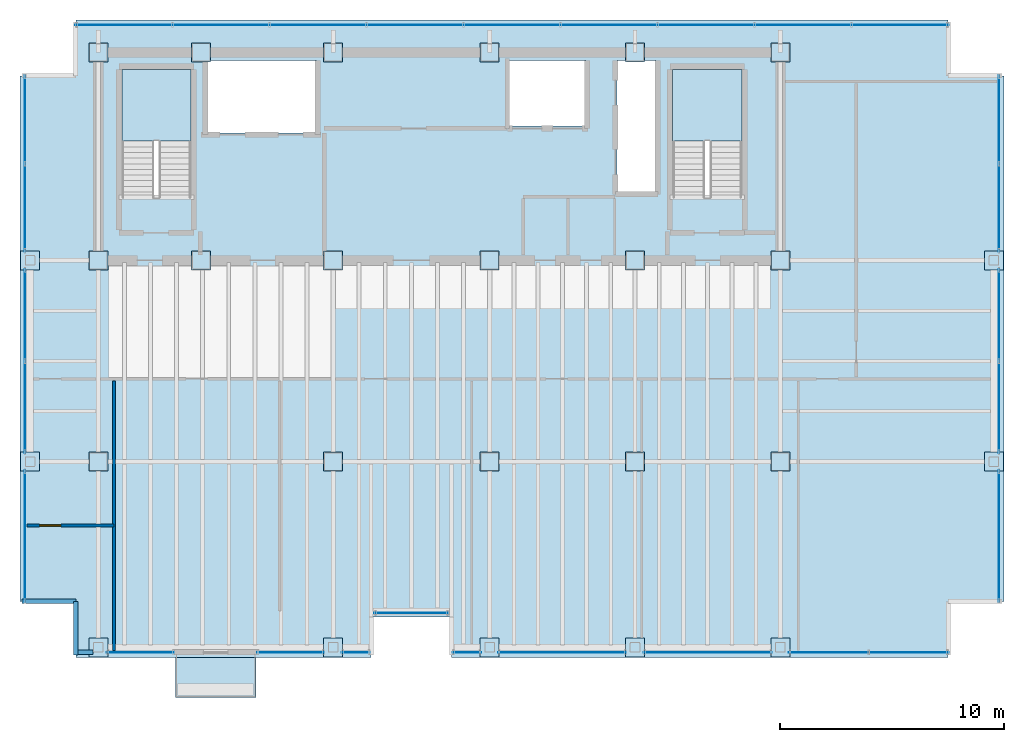
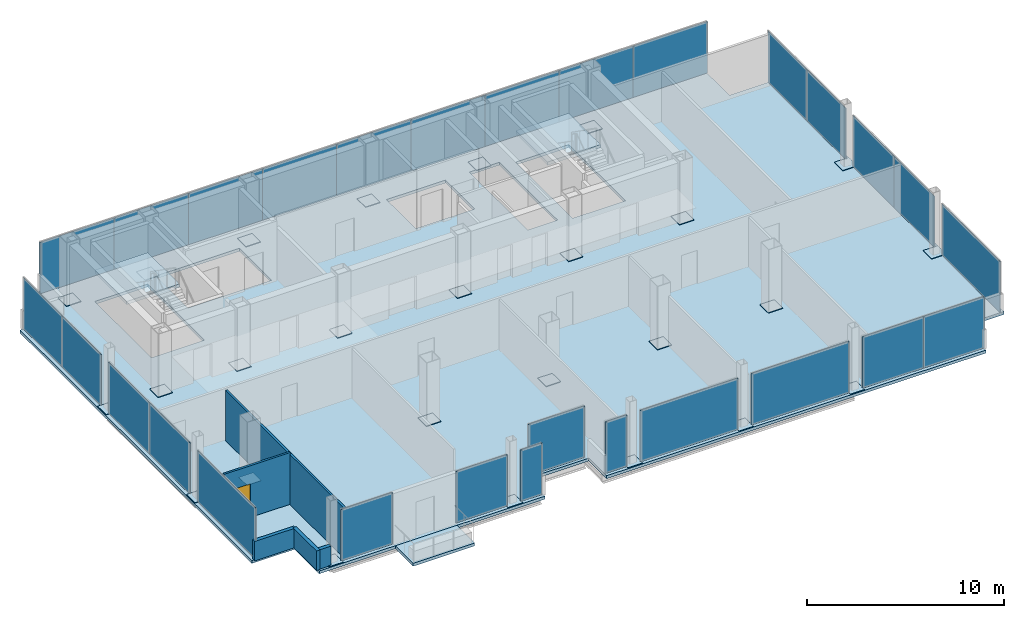
# One storey, part 12 of 15: 54 plates, 5 walls, 4 slabs, 1 door, 6 openings, 17 elements without a shape of their own.
"""IFC4 building model written with IfcOpenShell, lengths in metres."""

from ifc_helpers import new_model, si_unit, direction, frame, frame_2d, origin, origin_2d, place, context, subcontext, project, spatial, polyline, rectangle, outline, extrude, material, layer, layer_set, type_object, element, fill, aggregate, save


model = new_model("IFC4")

# Units and contexts
model_context = context("Model", 3, precision=1e-05, world=origin(), true_north=direction((0.0, 1.0)))
body_context = subcontext(model_context, "Body", "Model", "MODEL_VIEW")
ifc_project = project(units=[si_unit("LENGTHUNIT", "METRE"), si_unit("AREAUNIT", "SQUARE_METRE"), si_unit("VOLUMEUNIT", "CUBIC_METRE"), si_unit("PLANEANGLEUNIT", "RADIAN"), si_unit("MASSUNIT", "GRAM", prefix="KILO")], contexts=[model_context])

# Site, building, storey
site_placement = place(None, origin())
site = spatial("IfcSite", under=ifc_project, at=site_placement, CompositionType="ELEMENT")
building_placement = place(site_placement, origin())
building = spatial("IfcBuilding", under=site, at=building_placement, Name="Noeulbin Bourse Tower", CompositionType="ELEMENT")
storey_placement = place(building_placement, frame((0.0, 0.0, 211.10009765625)))
storey = spatial("IfcBuildingStorey", under=building, at=storey_placement, Name="L52", CompositionType="ELEMENT", Elevation=211.10009765625)

# Curtain wall, plate
ifc_material_1 = material(Name="High-Selectivity Low-Iron Glazing", Category="glass")
curtain_wall_type = type_object("IfcCurtainWallType", Name="CW-SYS-4", PredefinedType="NOTDEFINED", material=ifc_material_1)
curtain_wall_1_placement = place(storey_placement, origin())
curtain_wall_1 = element("IfcCurtainWall", 1, at=curtain_wall_1_placement, inside=storey, type_object=curtain_wall_type, Name="Unitised Curtain Wall CW-L52-SREC", PredefinedType="NOTDEFINED")
ifc_layer_1 = layer(ifc_material_1, 0.035888671875)
ifc_layer_set_1 = layer_set([ifc_layer_1], Name="High-Selectivity Low-Iron Glazing")
plate_type_1 = type_object("IfcPlateType", Name="CW-SYS-4-PNL", PredefinedType="CURTAIN_PANEL", material=ifc_layer_set_1)
plate_1_placement = place(storey_placement, frame((27.5, 13.22998046875, 0.0), z_axis=(0.0, 0.0, 1.0), x_axis=(1.0, 0.0, 0.0)))
plate_1 = element("IfcPlate", 2, at=plate_1_placement, type_object=plate_type_1, Name="Glazed Curtain Panel CW-L52-SREC-P00", PredefinedType="CURTAIN_PANEL", context=body_context, shape_type="SweptSolid", body=[
    extrude(rectangle(XDim=3.300048828125, YDim=0.035888671875, at=origin_2d()), origin(), (0.0, 0.0, 1.0), 3.179931640625),
])
aggregate(curtain_wall_1, [plate_1])

curtain_wall_2_placement = place(storey_placement, origin())
curtain_wall_2 = element("IfcCurtainWall", 3, at=curtain_wall_2_placement, inside=storey, type_object=curtain_wall_type, Name="Unitised Curtain Wall CW-L52-S1", PredefinedType="NOTDEFINED")
plate_2_placement = place(storey_placement, frame((15.392578125, 11.469970703125, 0.0), z_axis=(0.0, 0.0, 1.0), x_axis=(1.0, 0.0, 0.0)))
plate_2 = element("IfcPlate", 4, at=plate_2_placement, type_object=plate_type_1, Name="Glazed Curtain Panel CW-L52-S1-P00", PredefinedType="CURTAIN_PANEL", context=body_context, shape_type="SweptSolid", body=[
    extrude(rectangle(XDim=3.014892578125, YDim=0.035888671875, at=origin_2d()), origin(), (0.0, 0.0, 1.0), 3.179931640625),
])
aggregate(curtain_wall_2, [plate_2])

curtain_wall_3_placement = place(storey_placement, origin())
curtain_wall_3 = element("IfcCurtainWall", 5, at=curtain_wall_3_placement, inside=storey, type_object=curtain_wall_type, Name="Unitised Curtain Wall CW-L52-S2-S1", PredefinedType="NOTDEFINED")
plate_3_placement = place(storey_placement, frame((22.107421875, 11.469970703125, 0.0), z_axis=(0.0, 0.0, 1.0), x_axis=(1.0, 0.0, 0.0)))
plate_3 = element("IfcPlate", 6, at=plate_3_placement, type_object=plate_type_1, Name="Glazed Curtain Panel CW-L52-S2-S1-P00", PredefinedType="CURTAIN_PANEL", context=body_context, shape_type="SweptSolid", body=[
    extrude(rectangle(XDim=3.014892578125, YDim=0.035888671875, at=origin_2d()), origin(), (0.0, 0.0, 1.0), 3.179931640625),
])
aggregate(curtain_wall_3, [plate_3])

curtain_wall_4_placement = place(storey_placement, origin())
curtain_wall_4 = element("IfcCurtainWall", 7, at=curtain_wall_4_placement, inside=storey, type_object=curtain_wall_type, Name="Unitised Curtain Wall CW-L52-S2-S2", PredefinedType="NOTDEFINED")
plate_4_placement = place(storey_placement, frame((25.017578125, 11.469970703125, 0.0), z_axis=(0.0, 0.0, 1.0), x_axis=(1.0, 0.0, 0.0)))
plate_4 = element("IfcPlate", 8, at=plate_4_placement, type_object=plate_type_1, Name="Glazed Curtain Panel CW-L52-S2-S2-P00", PredefinedType="CURTAIN_PANEL", context=body_context, shape_type="SweptSolid", body=[
    extrude(rectangle(XDim=1.264892578125, YDim=0.035888671875, at=origin_2d()), origin(), (0.0, 0.0, 1.0), 3.179931640625),
])
aggregate(curtain_wall_4, [plate_4])

curtain_wall_5_placement = place(storey_placement, origin())
curtain_wall_5 = element("IfcCurtainWall", 9, at=curtain_wall_5_placement, inside=storey, type_object=curtain_wall_type, Name="Unitised Curtain Wall CW-L52-S3-S1", PredefinedType="NOTDEFINED")
plate_5_placement = place(storey_placement, frame((29.982421875, 11.469970703125, 0.0), z_axis=(0.0, 0.0, 1.0), x_axis=(1.0, 0.0, 0.0)))
plate_5 = element("IfcPlate", 10, at=plate_5_placement, type_object=plate_type_1, Name="Glazed Curtain Panel CW-L52-S3-S1-P00", PredefinedType="CURTAIN_PANEL", context=body_context, shape_type="SweptSolid", body=[
    extrude(rectangle(XDim=1.264892578125, YDim=0.035888671875, at=origin_2d()), origin(), (0.0, 0.0, 1.0), 3.179931640625),
])
aggregate(curtain_wall_5, [plate_5])

curtain_wall_6_placement = place(storey_placement, origin())
curtain_wall_6 = element("IfcCurtainWall", 11, at=curtain_wall_6_placement, inside=storey, type_object=curtain_wall_type, Name="Unitised Curtain Wall CW-L52-S3-S2", PredefinedType="NOTDEFINED")
plate_6_placement = place(storey_placement, frame((34.25, 11.469970703125, 0.0), z_axis=(0.0, 0.0, 1.0), x_axis=(1.0, 0.0, 0.0)))
plate_6 = element("IfcPlate", 12, at=plate_6_placement, type_object=plate_type_1, Name="Glazed Curtain Panel CW-L52-S3-S2-P00", PredefinedType="CURTAIN_PANEL", context=body_context, shape_type="SweptSolid", body=[
    extrude(rectangle(XDim=5.72998046875, YDim=0.035888671875, at=origin_2d()), origin(), (0.0, 0.0, 1.0), 3.179931640625),
])
aggregate(curtain_wall_6, [plate_6])

curtain_wall_7_placement = place(storey_placement, origin())
curtain_wall_7 = element("IfcCurtainWall", 13, at=curtain_wall_7_placement, inside=storey, type_object=curtain_wall_type, Name="Unitised Curtain Wall CW-L52-S3-S3", PredefinedType="NOTDEFINED")
plate_7_placement = place(storey_placement, frame((40.75, 11.469970703125, 0.0), z_axis=(0.0, 0.0, 1.0), x_axis=(1.0, 0.0, 0.0)))
plate_7 = element("IfcPlate", 14, at=plate_7_placement, type_object=plate_type_1, Name="Glazed Curtain Panel CW-L52-S3-S3-P00", PredefinedType="CURTAIN_PANEL", context=body_context, shape_type="SweptSolid", body=[
    extrude(rectangle(XDim=5.72998046875, YDim=0.035888671875, at=origin_2d()), origin(), (0.0, 0.0, 1.0), 3.179931640625),
])
aggregate(curtain_wall_7, [plate_7])

# Curtain wall, plates
curtain_wall_8_placement = place(storey_placement, origin())
curtain_wall_8 = element("IfcCurtainWall", 15, at=curtain_wall_8_placement, inside=storey, type_object=curtain_wall_type, Name="Unitised Curtain Wall CW-L52-S3-S4", PredefinedType="NOTDEFINED")
plate_8_placement = place(storey_placement, frame((46.168701171875, 11.469970703125, 0.0), z_axis=(0.0, 0.0, 1.0), x_axis=(1.0, 0.0, 0.0)))
plate_8 = element("IfcPlate", 16, at=plate_8_placement, type_object=plate_type_1, Name="Glazed Curtain Panel CW-L52-S3-S4-P00", PredefinedType="CURTAIN_PANEL", context=body_context, shape_type="SweptSolid", body=[
    extrude(rectangle(XDim=3.5673828125, YDim=0.035888671875, at=origin_2d()), origin(), (0.0, 0.0, 1.0), 3.179931640625),
])
plate_9_placement = place(storey_placement, frame((49.736083984375, 11.469970703125, 0.0), z_axis=(0.0, 0.0, 1.0), x_axis=(1.0, 0.0, 0.0)))
plate_9 = element("IfcPlate", 17, at=plate_9_placement, type_object=plate_type_1, Name="Glazed Curtain Panel CW-L52-S3-S4-P01", PredefinedType="CURTAIN_PANEL", context=body_context, shape_type="SweptSolid", body=[
    extrude(rectangle(XDim=3.5673828125, YDim=0.035888671875, at=origin_2d()), origin(), (0.0, 0.0, 1.0), 3.179931640625),
])
aggregate(curtain_wall_8, [plate_8, plate_9])

curtain_wall_9_placement = place(storey_placement, origin())
curtain_wall_9 = element("IfcCurtainWall", 18, at=curtain_wall_9_placement, inside=storey, type_object=curtain_wall_type, Name="Unitised Curtain Wall CW-L52-N", PredefinedType="NOTDEFINED")
plate_10_placement = place(storey_placement, frame((14.64892578125, 39.530029296875, 0.0), z_axis=(0.0, 0.0, 1.0), x_axis=(1.0, 0.0, 0.0)))
plate_10 = element("IfcPlate", 19, at=plate_10_placement, type_object=plate_type_1, Name="Glazed Curtain Panel CW-L52-N-P00", PredefinedType="CURTAIN_PANEL", context=body_context, shape_type="SweptSolid", body=[
    extrude(rectangle(XDim=4.337890625, YDim=0.035888671875, at=origin_2d()), origin(), (0.0, 0.0, 1.0), 3.179931640625),
])
plate_11_placement = place(storey_placement, frame((18.98681640625, 39.530029296875, 0.0), z_axis=(0.0, 0.0, 1.0), x_axis=(1.0, 0.0, 0.0)))
plate_11 = element("IfcPlate", 20, at=plate_11_placement, type_object=plate_type_1, Name="Glazed Curtain Panel CW-L52-N-P01", PredefinedType="CURTAIN_PANEL", context=body_context, shape_type="SweptSolid", body=[
    extrude(rectangle(XDim=4.337890625, YDim=0.035888671875, at=origin_2d()), origin(), (0.0, 0.0, 1.0), 3.179931640625),
])
plate_12_placement = place(storey_placement, frame((23.324462890625, 39.530029296875, 0.0), z_axis=(0.0, 0.0, 1.0), x_axis=(1.0, 0.0, 0.0)))
plate_12 = element("IfcPlate", 21, at=plate_12_placement, type_object=plate_type_1, Name="Glazed Curtain Panel CW-L52-N-P02", PredefinedType="CURTAIN_PANEL", context=body_context, shape_type="SweptSolid", body=[
    extrude(rectangle(XDim=4.337890625, YDim=0.035888671875, at=origin_2d()), origin(), (0.0, 0.0, 1.0), 3.179931640625),
])
plate_13_placement = place(storey_placement, frame((27.662109375, 39.530029296875, 0.0), z_axis=(0.0, 0.0, 1.0), x_axis=(1.0, 0.0, 0.0)))
plate_13 = element("IfcPlate", 22, at=plate_13_placement, type_object=plate_type_1, Name="Glazed Curtain Panel CW-L52-N-P03", PredefinedType="CURTAIN_PANEL", context=body_context, shape_type="SweptSolid", body=[
    extrude(rectangle(XDim=4.337890625, YDim=0.035888671875, at=origin_2d()), origin(), (0.0, 0.0, 1.0), 3.179931640625),
])
plate_14_placement = place(storey_placement, frame((32.0, 39.530029296875, 0.0), z_axis=(0.0, 0.0, 1.0), x_axis=(1.0, 0.0, 0.0)))
plate_14 = element("IfcPlate", 23, at=plate_14_placement, type_object=plate_type_1, Name="Glazed Curtain Panel CW-L52-N-P04", PredefinedType="CURTAIN_PANEL", context=body_context, shape_type="SweptSolid", body=[
    extrude(rectangle(XDim=4.337890625, YDim=0.035888671875, at=origin_2d()), origin(), (0.0, 0.0, 1.0), 3.179931640625),
])
plate_15_placement = place(storey_placement, frame((36.337890625, 39.530029296875, 0.0), z_axis=(0.0, 0.0, 1.0), x_axis=(1.0, 0.0, 0.0)))
plate_15 = element("IfcPlate", 24, at=plate_15_placement, type_object=plate_type_1, Name="Glazed Curtain Panel CW-L52-N-P05", PredefinedType="CURTAIN_PANEL", context=body_context, shape_type="SweptSolid", body=[
    extrude(rectangle(XDim=4.337890625, YDim=0.035888671875, at=origin_2d()), origin(), (0.0, 0.0, 1.0), 3.179931640625),
])
plate_16_placement = place(storey_placement, frame((40.675537109375, 39.530029296875, 0.0), z_axis=(0.0, 0.0, 1.0), x_axis=(1.0, 0.0, 0.0)))
plate_16 = element("IfcPlate", 25, at=plate_16_placement, type_object=plate_type_1, Name="Glazed Curtain Panel CW-L52-N-P06", PredefinedType="CURTAIN_PANEL", context=body_context, shape_type="SweptSolid", body=[
    extrude(rectangle(XDim=4.337890625, YDim=0.035888671875, at=origin_2d()), origin(), (0.0, 0.0, 1.0), 3.179931640625),
])
plate_17_placement = place(storey_placement, frame((45.01318359375, 39.530029296875, 0.0), z_axis=(0.0, 0.0, 1.0), x_axis=(1.0, 0.0, 0.0)))
plate_17 = element("IfcPlate", 26, at=plate_17_placement, type_object=plate_type_1, Name="Glazed Curtain Panel CW-L52-N-P07", PredefinedType="CURTAIN_PANEL", context=body_context, shape_type="SweptSolid", body=[
    extrude(rectangle(XDim=4.337890625, YDim=0.035888671875, at=origin_2d()), origin(), (0.0, 0.0, 1.0), 3.179931640625),
])
plate_18_placement = place(storey_placement, frame((49.35107421875, 39.530029296875, 0.0), z_axis=(0.0, 0.0, 1.0), x_axis=(1.0, 0.0, 0.0)))
plate_18 = element("IfcPlate", 27, at=plate_18_placement, type_object=plate_type_1, Name="Glazed Curtain Panel CW-L52-N-P08", PredefinedType="CURTAIN_PANEL", context=body_context, shape_type="SweptSolid", body=[
    extrude(rectangle(XDim=4.337890625, YDim=0.035888671875, at=origin_2d()), origin(), (0.0, 0.0, 1.0), 3.179931640625),
])
aggregate(curtain_wall_9, [plate_10, plate_11, plate_12, plate_13, plate_14, plate_15, plate_16, plate_17, plate_18])

# Curtain wall, plate
curtain_wall_10_placement = place(storey_placement, origin())
curtain_wall_10 = element("IfcCurtainWall", 28, at=curtain_wall_10_placement, inside=storey, type_object=curtain_wall_type, Name="Unitised Curtain Wall CW-L52-W-S1", PredefinedType="NOTDEFINED")
plate_19_placement = place(storey_placement, frame((10.219970703125, 16.672607421875, 0.0), z_axis=(0.0, 0.0, 1.0), x_axis=(0.0, 1.0, 0.0)))
plate_19 = element("IfcPlate", 29, at=plate_19_placement, type_object=plate_type_1, Name="Glazed Curtain Panel CW-L52-W-S1-P00", PredefinedType="CURTAIN_PANEL", context=body_context, shape_type="SweptSolid", body=[
    extrude(rectangle(XDim=5.885009765625, YDim=0.035888671875, at=origin_2d()), origin(), (0.0, 0.0, 1.0), 3.179931640625),
])
aggregate(curtain_wall_10, [plate_19])

# Curtain wall, plates
curtain_wall_11_placement = place(storey_placement, origin())
curtain_wall_11 = element("IfcCurtainWall", 30, at=curtain_wall_11_placement, inside=storey, type_object=curtain_wall_type, Name="Unitised Curtain Wall CW-L52-W-S2", PredefinedType="NOTDEFINED")
plate_20_placement = place(storey_placement, frame((10.219970703125, 22.4423828125, 0.0), z_axis=(0.0, 0.0, 1.0), x_axis=(0.0, 1.0, 0.0)))
plate_20 = element("IfcPlate", 31, at=plate_20_placement, type_object=plate_type_1, Name="Glazed Curtain Panel CW-L52-W-S2-P00", PredefinedType="CURTAIN_PANEL", context=body_context, shape_type="SweptSolid", body=[
    extrude(rectangle(XDim=4.114990234375, YDim=0.035888671875, at=origin_2d()), origin(), (0.0, 0.0, 1.0), 3.179931640625),
])
plate_21_placement = place(storey_placement, frame((10.219970703125, 26.5576171875, 0.0), z_axis=(0.0, 0.0, 1.0), x_axis=(0.0, 1.0, 0.0)))
plate_21 = element("IfcPlate", 32, at=plate_21_placement, type_object=plate_type_1, Name="Glazed Curtain Panel CW-L52-W-S2-P01", PredefinedType="CURTAIN_PANEL", context=body_context, shape_type="SweptSolid", body=[
    extrude(rectangle(XDim=4.114990234375, YDim=0.035888671875, at=origin_2d()), origin(), (0.0, 0.0, 1.0), 3.179931640625),
])
aggregate(curtain_wall_11, [plate_20, plate_21])

curtain_wall_12_placement = place(storey_placement, origin())
curtain_wall_12 = element("IfcCurtainWall", 33, at=curtain_wall_12_placement, inside=storey, type_object=curtain_wall_type, Name="Unitised Curtain Wall CW-L52-W-S3", PredefinedType="NOTDEFINED")
plate_22_placement = place(storey_placement, frame((10.219970703125, 31.356201171875, 0.0), z_axis=(0.0, 0.0, 1.0), x_axis=(0.0, 1.0, 0.0)))
plate_22 = element("IfcPlate", 34, at=plate_22_placement, type_object=plate_type_1, Name="Glazed Curtain Panel CW-L52-W-S3-P00", PredefinedType="CURTAIN_PANEL", context=body_context, shape_type="SweptSolid", body=[
    extrude(rectangle(XDim=3.9423828125, YDim=0.035888671875, at=origin_2d()), origin(), (0.0, 0.0, 1.0), 3.179931640625),
])
plate_23_placement = place(storey_placement, frame((10.219970703125, 35.298828125, 0.0), z_axis=(0.0, 0.0, 1.0), x_axis=(0.0, 1.0, 0.0)))
plate_23 = element("IfcPlate", 35, at=plate_23_placement, type_object=plate_type_1, Name="Glazed Curtain Panel CW-L52-W-S3-P01", PredefinedType="CURTAIN_PANEL", context=body_context, shape_type="SweptSolid", body=[
    extrude(rectangle(XDim=3.9423828125, YDim=0.035888671875, at=origin_2d()), origin(), (0.0, 0.0, 1.0), 3.179931640625),
])
aggregate(curtain_wall_12, [plate_22, plate_23])

# Curtain wall, plate
curtain_wall_13_placement = place(storey_placement, origin())
curtain_wall_13 = element("IfcCurtainWall", 36, at=curtain_wall_13_placement, inside=storey, type_object=curtain_wall_type, Name="Unitised Curtain Wall CW-L52-E-S1", PredefinedType="NOTDEFINED")
plate_24_placement = place(storey_placement, frame((53.780029296875, 16.672607421875, 0.0), z_axis=(0.0, 0.0, 1.0), x_axis=(0.0, 1.0, 0.0)))
plate_24 = element("IfcPlate", 37, at=plate_24_placement, type_object=plate_type_1, Name="Glazed Curtain Panel CW-L52-E-S1-P00", PredefinedType="CURTAIN_PANEL", context=body_context, shape_type="SweptSolid", body=[
    extrude(rectangle(XDim=5.885009765625, YDim=0.035888671875, at=origin_2d()), origin(), (0.0, 0.0, 1.0), 3.179931640625),
])
aggregate(curtain_wall_13, [plate_24])

# Curtain wall, plates
curtain_wall_14_placement = place(storey_placement, origin())
curtain_wall_14 = element("IfcCurtainWall", 38, at=curtain_wall_14_placement, inside=storey, type_object=curtain_wall_type, Name="Unitised Curtain Wall CW-L52-E-S2", PredefinedType="NOTDEFINED")
plate_25_placement = place(storey_placement, frame((53.780029296875, 22.4423828125, 0.0), z_axis=(0.0, 0.0, 1.0), x_axis=(0.0, 1.0, 0.0)))
plate_25 = element("IfcPlate", 39, at=plate_25_placement, type_object=plate_type_1, Name="Glazed Curtain Panel CW-L52-E-S2-P00", PredefinedType="CURTAIN_PANEL", context=body_context, shape_type="SweptSolid", body=[
    extrude(rectangle(XDim=4.114990234375, YDim=0.035888671875, at=origin_2d()), origin(), (0.0, 0.0, 1.0), 3.179931640625),
])
plate_26_placement = place(storey_placement, frame((53.780029296875, 26.5576171875, 0.0), z_axis=(0.0, 0.0, 1.0), x_axis=(0.0, 1.0, 0.0)))
plate_26 = element("IfcPlate", 40, at=plate_26_placement, type_object=plate_type_1, Name="Glazed Curtain Panel CW-L52-E-S2-P01", PredefinedType="CURTAIN_PANEL", context=body_context, shape_type="SweptSolid", body=[
    extrude(rectangle(XDim=4.114990234375, YDim=0.035888671875, at=origin_2d()), origin(), (0.0, 0.0, 1.0), 3.179931640625),
])
aggregate(curtain_wall_14, [plate_25, plate_26])

curtain_wall_15_placement = place(storey_placement, origin())
curtain_wall_15 = element("IfcCurtainWall", 41, at=curtain_wall_15_placement, inside=storey, type_object=curtain_wall_type, Name="Unitised Curtain Wall CW-L52-E-S3", PredefinedType="NOTDEFINED")
plate_27_placement = place(storey_placement, frame((53.780029296875, 31.356201171875, 0.0), z_axis=(0.0, 0.0, 1.0), x_axis=(0.0, 1.0, 0.0)))
plate_27 = element("IfcPlate", 42, at=plate_27_placement, type_object=plate_type_1, Name="Glazed Curtain Panel CW-L52-E-S3-P00", PredefinedType="CURTAIN_PANEL", context=body_context, shape_type="SweptSolid", body=[
    extrude(rectangle(XDim=3.9423828125, YDim=0.035888671875, at=origin_2d()), origin(), (0.0, 0.0, 1.0), 3.179931640625),
])
plate_28_placement = place(storey_placement, frame((53.780029296875, 35.298828125, 0.0), z_axis=(0.0, 0.0, 1.0), x_axis=(0.0, 1.0, 0.0)))
plate_28 = element("IfcPlate", 43, at=plate_28_placement, type_object=plate_type_1, Name="Glazed Curtain Panel CW-L52-E-S3-P01", PredefinedType="CURTAIN_PANEL", context=body_context, shape_type="SweptSolid", body=[
    extrude(rectangle(XDim=3.9423828125, YDim=0.035888671875, at=origin_2d()), origin(), (0.0, 0.0, 1.0), 3.179931640625),
])
aggregate(curtain_wall_15, [plate_27, plate_28])

# Plates
ifc_material_2 = material(Name="Steel S355", Category="steel")
ifc_layer_2 = layer(ifc_material_2, 0.030029296875)
ifc_layer_set_2 = layer_set([ifc_layer_2], Name="Steel S355")
plate_type_2 = type_object("IfcPlateType", Name="PLT-BN1", PredefinedType="USERDEFINED", material=ifc_layer_set_2)
for number, where, z_axis, x_axis, name in (
    (44, (13.5, 29.0, 0.0048828125), (0.0, 0.0, 1.0), (1.0, 0.0, 0.0), "Mega-Column Splice Plate BN1-L52-01"),
    (45, (13.5, 38.300048828125, 0.0048828125), (0.0, 0.0, 1.0), (1.0, 0.0, 0.0), "Mega-Column Splice Plate BN1-L52-02"),
    (46, (18.10009765625, 29.0, 0.0048828125), (0.0, 0.0, 1.0), (1.0, 0.0, 0.0), "Mega-Column Splice Plate BN1-L52-03"),
    (47, (18.10009765625, 38.300048828125, 0.0048828125), (0.0, 0.0, 1.0), (1.0, 0.0, 0.0), "Mega-Column Splice Plate BN1-L52-04"),
    (48, (24.0, 29.0, 0.0048828125), (0.0, 0.0, 1.0), (1.0, 0.0, 0.0), "Mega-Column Splice Plate BN1-L52-05"),
    (49, (24.0, 38.300048828125, 0.0048828125), (0.0, 0.0, 1.0), (1.0, 0.0, 0.0), "Mega-Column Splice Plate BN1-L52-06"),
    (50, (31.0, 29.0, 0.0048828125), (0.0, 0.0, 1.0), (1.0, 0.0, 0.0), "Mega-Column Splice Plate BN1-L52-07"),
    (51, (31.0, 38.300048828125, 0.0048828125), (0.0, 0.0, 1.0), (1.0, 0.0, 0.0), "Mega-Column Splice Plate BN1-L52-08"),
    (52, (37.5, 29.0, 0.0048828125), (0.0, 0.0, 1.0), (1.0, 0.0, 0.0), "Mega-Column Splice Plate BN1-L52-09"),
    (53, (37.5, 38.300048828125, 0.0048828125), (0.0, 0.0, 1.0), (1.0, 0.0, 0.0), "Mega-Column Splice Plate BN1-L52-10"),
    (54, (44.0, 29.0, 0.0048828125), (0.0, 0.0, 1.0), (1.0, 0.0, 0.0), "Mega-Column Splice Plate BN1-L52-11"),
    (55, (44.0, 38.300048828125, 0.0048828125), (0.0, 0.0, 1.0), (1.0, 0.0, 0.0), "Mega-Column Splice Plate BN1-L52-12"),
    (56, (13.5, 20.0, 0.0048828125), (0.0, 0.0, 1.0), (1.0, 0.0, 0.0), "Mega-Column Splice Plate BN1-L52-13"),
    (57, (24.0, 20.0, 0.0048828125), (0.0, 0.0, 1.0), (1.0, 0.0, 0.0), "Mega-Column Splice Plate BN1-L52-14"),
    (58, (31.0, 20.0, 0.0048828125), (0.0, 0.0, 1.0), (1.0, 0.0, 0.0), "Mega-Column Splice Plate BN1-L52-15"),
    (59, (37.5, 20.0, 0.0048828125), (0.0, 0.0, 1.0), (1.0, 0.0, 0.0), "Mega-Column Splice Plate BN1-L52-16"),
    (60, (44.0, 20.0, 0.0048828125), (0.0, 0.0, 1.0), (1.0, 0.0, 0.0), "Mega-Column Splice Plate BN1-L52-17"),
    (61, (10.449951171875, 20.0, 0.0048828125), (0.0, 0.0, 1.0), (1.0, 0.0, 0.0), "Perimeter Column Splice Plate BN1-L52-01"),
    (62, (10.449951171875, 29.0, 0.0048828125), (0.0, 0.0, 1.0), (1.0, 0.0, 0.0), "Perimeter Column Splice Plate BN1-L52-02"),
    (63, (13.5, 11.699951171875, 0.0048828125), (0.0, 0.0, 1.0), (1.0, 0.0, 0.0), "Perimeter Column Splice Plate BN1-L52-03"),
    (64, (24.0, 11.699951171875, 0.0048828125), (0.0, 0.0, 1.0), (1.0, 0.0, 0.0), "Perimeter Column Splice Plate BN1-L52-04"),
    (65, (31.0, 11.699951171875, 0.0048828125), (0.0, 0.0, 1.0), (1.0, 0.0, 0.0), "Perimeter Column Splice Plate BN1-L52-05"),
    (66, (37.5, 11.699951171875, 0.0048828125), (0.0, 0.0, 1.0), (1.0, 0.0, 0.0), "Perimeter Column Splice Plate BN1-L52-06"),
    (67, (44.0, 11.699951171875, 0.0048828125), (0.0, 0.0, 1.0), (1.0, 0.0, 0.0), "Perimeter Column Splice Plate BN1-L52-07"),
    (68, (53.550048828125, 20.0, 0.0048828125), (0.0, 0.0, 1.0), (1.0, 0.0, 0.0), "Perimeter Column Splice Plate BN1-L52-08"),
    (69, (53.550048828125, 29.0, 0.0048828125), (0.0, 0.0, 1.0), (1.0, 0.0, 0.0), "Perimeter Column Splice Plate BN1-L52-09"),
):
    element("IfcPlate", number, at=place(storey_placement, frame(where, z_axis=z_axis, x_axis=x_axis)), inside=storey, type_object=plate_type_2, Name=name, ObjectType="SPLICE PLATE", PredefinedType="USERDEFINED", context=body_context, shape_type="SweptSolid", body=[
        extrude(rectangle(XDim=0.85009765625, YDim=0.85009765625, at=origin_2d()), origin(), (0.0, 0.0, 1.0), 0.030029296875),
    ])

# Stair, slab
ifc_material_3 = material(Name="Concrete C40/50", Category="concrete")
stair_type = type_object("IfcStairType", Name="STR-CORE-1560", PredefinedType="HALF_TURN_STAIR", material=ifc_material_3)
stair_1_placement = place(storey_placement, origin())
stair_1 = element("IfcStair", 70, at=stair_1_placement, inside=storey, type_object=stair_type, Name="L52 ST-1", PredefinedType="HALF_TURN_STAIR")
ifc_layer_3 = layer(ifc_material_3, 0.199951171875)
ifc_layer_set_3 = layer_set([ifc_layer_3], Name="Concrete C40/50")
slab_type_1 = type_object("IfcSlabType", Name="SLB-LND-200", PredefinedType="LANDING", material=ifc_layer_set_3)
slab_1_placement = place(storey_placement, frame((0.0, 0.0, 1.75)))
slab_1 = element("IfcSlab", 71, at=slab_1_placement, type_object=slab_type_1, Name="ST-1 landing 1", PredefinedType="LANDING", context=body_context, shape_type="SweptSolid", body=[
    extrude(outline(polyline([(17.64990234375, 34.330078125), (17.64990234375, 37.5439453125), (14.550048828125, 37.5439453125), (14.550048828125, 34.330078125), (17.64990234375, 34.330078125)])), origin(), (0.0, 0.0, 1.0), 0.199951171875),
])
aggregate(stair_1, [slab_1])

stair_2_placement = place(storey_placement, origin())
stair_2 = element("IfcStair", 72, at=stair_2_placement, inside=storey, type_object=stair_type, Name="L52 ST-2", PredefinedType="HALF_TURN_STAIR")
slab_2_placement = place(storey_placement, frame((0.0, 0.0, 1.75)))
slab_2 = element("IfcSlab", 73, at=slab_2_placement, type_object=slab_type_1, Name="ST-2 landing 1", PredefinedType="LANDING", context=body_context, shape_type="SweptSolid", body=[
    extrude(outline(polyline([(42.280029296875, 34.330078125), (42.280029296875, 37.5439453125), (39.179931640625, 37.5439453125), (39.179931640625, 34.330078125), (42.280029296875, 34.330078125)])), origin(), (0.0, 0.0, 1.0), 0.199951171875),
])
aggregate(stair_2, [slab_2])

# Slab, openings
ifc_layer_4 = layer(ifc_material_3, 0.179931640625)
ifc_layer_set_4 = layer_set([ifc_layer_4], Name="Concrete C40/50")
slab_type_2 = type_object("IfcSlabType", Name="SLB-TYP-180", PredefinedType="FLOOR", material=ifc_layer_set_4)
slab_3_placement = place(storey_placement, frame((0.0, 0.0, -0.18017578125)))
slab_3 = element("IfcSlab", 74, at=slab_3_placement, inside=storey, type_object=slab_type_2, Name="Tower Structural Floor Slab L52", PredefinedType="FLOOR", context=body_context, shape_type="SweptSolid", body=[
    extrude(outline(polyline([(12.5, 11.25), (25.699951171875, 11.25), (25.699951171875, 13.050048828125), (29.300048828125, 13.050048828125), (29.300048828125, 11.25), (51.5, 11.25), (51.5, 13.75), (54.0, 13.75), (54.0, 37.25), (51.5, 37.25), (51.5, 39.75), (12.5, 39.75), (12.5, 37.25), (10.0, 37.25), (10.0, 13.75), (12.5, 13.75), (12.5, 11.25)]), holes=[polyline([(17.64990234375, 31.81005859375), (17.64990234375, 37.5439453125), (14.550048828125, 37.5439453125), (14.550048828125, 31.81005859375), (17.64990234375, 31.81005859375)]), polyline([(42.280029296875, 31.81005859375), (42.280029296875, 37.5439453125), (39.179931640625, 37.5439453125), (39.179931640625, 31.81005859375), (42.280029296875, 31.81005859375)]), polyline([(18.35009765625, 34.699951171875), (23.25, 34.699951171875), (23.25, 37.949951171875), (18.35009765625, 37.949951171875), (18.35009765625, 34.699951171875)]), polyline([(36.699951171875, 32.050048828125), (38.449951171875, 32.050048828125), (38.449951171875, 37.949951171875), (36.699951171875, 37.949951171875), (36.699951171875, 32.050048828125)]), polyline([(31.85009765625, 35.0), (35.300048828125, 35.0), (35.300048828125, 37.949951171875), (31.85009765625, 37.949951171875), (31.85009765625, 35.0)])]), origin(), (0.0, 0.0, 1.0), 0.18017578125),
])
opening_1_placement = place(slab_3_placement, frame((0.0, 0.0, -0.010009765625)))
element("IfcOpeningElement", 75, at=opening_1_placement, cuts=slab_3, Name="Slab Shaft Opening SLB-L52-TWR-1", PredefinedType="OPENING", context=body_context, shape_type="SweptSolid", body=[
    extrude(outline(polyline([(17.64990234375, 31.81005859375), (17.64990234375, 37.5439453125), (14.550048828125, 37.5439453125), (14.550048828125, 31.81005859375), (17.64990234375, 31.81005859375)])), origin(), (0.0, 0.0, 1.0), 0.2001953125),
])
opening_2_placement = place(slab_3_placement, frame((0.0, 0.0, -0.010009765625)))
element("IfcOpeningElement", 76, at=opening_2_placement, cuts=slab_3, Name="Slab Shaft Opening SLB-L52-TWR-2", PredefinedType="OPENING", context=body_context, shape_type="SweptSolid", body=[
    extrude(outline(polyline([(42.280029296875, 31.81005859375), (42.280029296875, 37.5439453125), (39.179931640625, 37.5439453125), (39.179931640625, 31.81005859375), (42.280029296875, 31.81005859375)])), origin(), (0.0, 0.0, 1.0), 0.2001953125),
])
opening_3_placement = place(slab_3_placement, frame((0.0, 0.0, -0.010009765625)))
element("IfcOpeningElement", 77, at=opening_3_placement, cuts=slab_3, Name="Slab Shaft Opening SLB-L52-TWR-3", PredefinedType="OPENING", context=body_context, shape_type="SweptSolid", body=[
    extrude(outline(polyline([(18.35009765625, 34.699951171875), (23.25, 34.699951171875), (23.25, 37.949951171875), (18.35009765625, 37.949951171875), (18.35009765625, 34.699951171875)])), origin(), (0.0, 0.0, 1.0), 0.2001953125),
])
opening_4_placement = place(slab_3_placement, frame((0.0, 0.0, -0.010009765625)))
element("IfcOpeningElement", 78, at=opening_4_placement, cuts=slab_3, Name="Slab Shaft Opening SLB-L52-TWR-4", PredefinedType="OPENING", context=body_context, shape_type="SweptSolid", body=[
    extrude(outline(polyline([(36.699951171875, 32.050048828125), (38.449951171875, 32.050048828125), (38.449951171875, 37.949951171875), (36.699951171875, 37.949951171875), (36.699951171875, 32.050048828125)])), origin(), (0.0, 0.0, 1.0), 0.2001953125),
])
opening_5_placement = place(slab_3_placement, frame((0.0, 0.0, -0.010009765625)))
element("IfcOpeningElement", 79, at=opening_5_placement, cuts=slab_3, Name="Slab Shaft Opening SLB-L52-TWR-5", PredefinedType="OPENING", context=body_context, shape_type="SweptSolid", body=[
    extrude(outline(polyline([(31.85009765625, 35.0), (35.300048828125, 35.0), (35.300048828125, 37.949951171875), (31.85009765625, 37.949951171875), (31.85009765625, 35.0)])), origin(), (0.0, 0.0, 1.0), 0.2001953125),
])

# Slab
slab_4_placement = place(storey_placement, frame((0.0, 0.0, -0.18017578125)))
element("IfcSlab", 80, at=slab_4_placement, inside=storey, type_object=slab_type_2, Name="Cantilevered Tree-Balcony Slab L52", PredefinedType="FLOOR", context=body_context, shape_type="SweptSolid", body=[
    extrude(outline(polyline([(16.949951171875, 9.449951171875), (20.550048828125, 9.449951171875), (20.550048828125, 11.25), (16.949951171875, 11.25), (16.949951171875, 9.449951171875)])), origin(), (0.0, 0.0, 1.0), 0.18017578125),
])

# Walls
ifc_layer_5 = layer(ifc_material_3, 0.199951171875)
ifc_layer_set_5 = layer_set([ifc_layer_5], Name="Concrete C40/50")
wall_type_1 = type_object("IfcWallType", Name="WAL-PAR-200", PredefinedType="PARAPET", material=ifc_layer_set_5)
wall_1_placement = place(storey_placement, frame((12.60009765625, 11.469970703125, 0.0), z_axis=(0.0, 0.0, 1.0), x_axis=(1.0, 0.0, 0.0)))
element("IfcWall", 81, at=wall_1_placement, inside=storey, type_object=wall_type_1, Name="Perimeter Pier Spandrel Parapet L52-S1", PredefinedType="PARAPET", context=body_context, shape_type="SweptSolid", body=[
    extrude(rectangle(XDim=0.65478515625, YDim=0.199951171875, at=frame_2d((0.327392578125, 0.0))), origin(), (0.0, 0.0, 1.0), 1.199951171875),
])
for number, where, z_axis, x_axis, name in (
    (82, (10.10009765625, 13.75, 0.0), (0.0, 0.0, 1.0), (1.0, 0.0, 0.0), "Corner Notch Parapet L52-SW1"),
    (83, (12.5, 13.75, 0.0), (0.0, 0.0, 1.0), (0.0, -1.0, 0.0), "Corner Notch Parapet L52-SW2"),
):
    element("IfcWall", number, at=place(storey_placement, frame(where, z_axis=z_axis, x_axis=x_axis)), inside=storey, type_object=wall_type_1, Name=name, PredefinedType="PARAPET", context=body_context, shape_type="SweptSolid", body=[
        extrude(rectangle(XDim=2.39990234375, YDim=0.199951171875, at=frame_2d((1.199951171875, 0.0))), origin(), (0.0, 0.0, 1.0), 1.199951171875),
    ])

# Wall, opening, door
ifc_material_4 = material(Name="Steel Stud Gypsum Partition", Category="steel")
ifc_layer_6 = layer(ifc_material_4, 0.1201171875)
ifc_layer_set_6 = layer_set([ifc_layer_6], Name="Steel Stud Gypsum Partition")
wall_type_2 = type_object("IfcWallType", Name="WAL-PRT-120", PredefinedType="PARTITIONING", material=ifc_layer_set_6)
wall_2_placement = place(storey_placement, frame((10.31005859375, 17.14404296875, 0.0), z_axis=(0.0, 0.0, 1.0), x_axis=(1.0, 0.0, 0.0)))
wall_2 = element("IfcWall", 84, at=wall_2_placement, inside=storey, type_object=wall_type_2, Name="Interior Partition Wall L52-06", PredefinedType="PARTITIONING", context=body_context, shape_type="SweptSolid", body=[
    extrude(rectangle(XDim=3.889892578125, YDim=0.1201171875, at=frame_2d((1.94482421875, 0.0))), origin(), (0.0, 0.0, 1.0), 3.199951171875),
])
opening_6_placement = place(wall_2_placement, frame((0.570068359375, 0.0, 0.0)))
opening_6 = element("IfcOpeningElement", 85, at=opening_6_placement, cuts=wall_2, Name="Opening ID-09", PredefinedType="OPENING", context=body_context, shape_type="SweptSolid", body=[
    extrude(rectangle(XDim=0.949951171875, YDim=2.080078125, at=frame_2d((0.47509765625, 1.0400390625))), frame((0.0, 0.070068359375, 0.0), z_axis=(0.0, -1.0, 0.0), x_axis=(1.0, 0.0, 0.0)), (0.0, 0.0, 1.0), 0.14013671875),
])
ifc_material_5 = material(Name="Acoustic Solid-Core Timber", Category="wood")
door_type = type_object("IfcDoorType", Name="DR-SINGLE-950", OperationType="SINGLE_SWING_LEFT", PredefinedType="DOOR", material=ifc_material_5)
door_placement = place(opening_6_placement, origin())
door = element("IfcDoor", 86, at=door_placement, inside=storey, type_object=door_type, Name="Interior Door L52-08", OperationType="SINGLE_SWING_RIGHT", OverallHeight=2.080078125, OverallWidth=0.949951171875, PredefinedType="DOOR", context=body_context, shape_type="SweptSolid", body=[
    extrude(rectangle(XDim=0.949951171875, YDim=2.080078125, at=frame_2d((0.47509765625, 1.0400390625))), frame((0.0, 0.02490234375, 0.0), z_axis=(0.0, -1.0, 0.0), x_axis=(1.0, 0.0, 0.0)), (0.0, 0.0, 1.0), 0.050048828125),
])
fill(opening_6, door)

# Wall
wall_3_placement = place(storey_placement, frame((14.199951171875, 11.56005859375, 0.0), z_axis=(0.0, 0.0, 1.0), x_axis=(0.0, 1.0, 0.0)))
element("IfcWall", 87, at=wall_3_placement, inside=storey, type_object=wall_type_2, Name="Interior Partition Wall L52-14", PredefinedType="PARTITIONING", context=body_context, shape_type="SweptSolid", body=[
    extrude(rectangle(XDim=12.054931640625, YDim=0.1201171875, at=frame_2d((6.02734375, 0.0))), origin(), (0.0, 0.0, 1.0), 3.099853515625),
])

save(model, "model.ifc")
